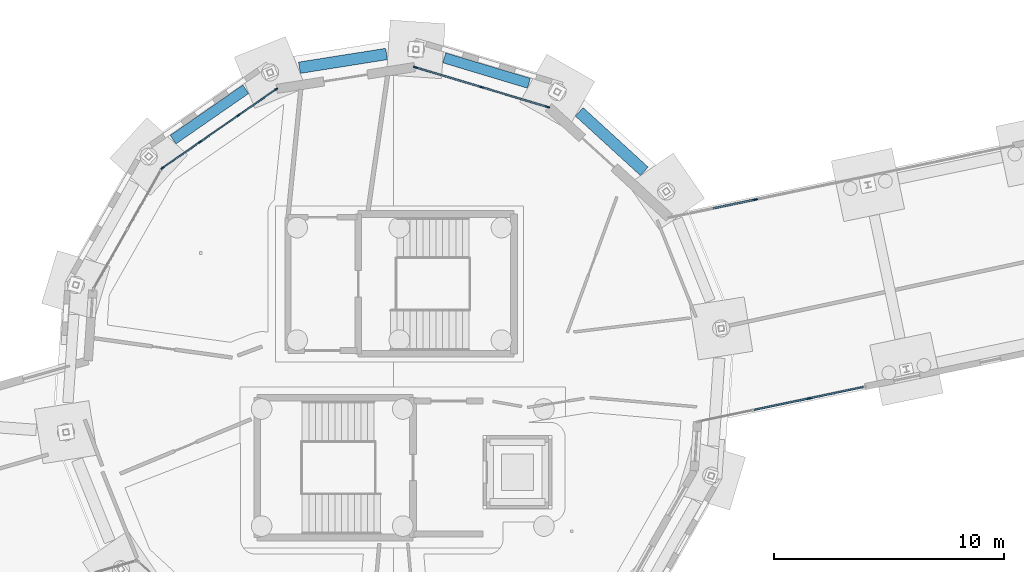
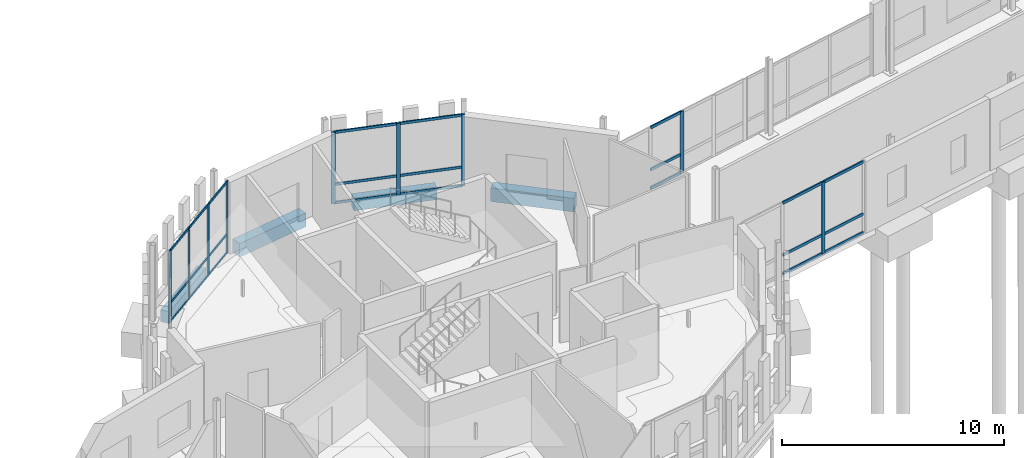
# One storey, part 48 of 113: 33 members, 4 beams, 4 elements without a shape of their own.
"""IFC4 building model written with IfcOpenShell, lengths in metres."""

from ifc_helpers import new_model, si_unit, direction, frame, origin, origin_2d, place, context, subcontext, project, spatial, rectangle, extrude, material, material_profile, profile_set, type_object, element, aggregate, save


model = new_model("IFC4")

# Units and contexts
model_context = context("Model", 3, precision=1e-05, world=origin(), true_north=direction((0.0, 1.0)))
body_context = subcontext(model_context, "Body", "Model", "MODEL_VIEW")
ifc_project = project(units=[si_unit("LENGTHUNIT", "METRE"), si_unit("AREAUNIT", "SQUARE_METRE"), si_unit("VOLUMEUNIT", "CUBIC_METRE"), si_unit("PLANEANGLEUNIT", "RADIAN"), si_unit("MASSUNIT", "GRAM", prefix="KILO")], contexts=[model_context])

# Site, building, storey
site_placement = place(None, origin())
site = spatial("IfcSite", under=ifc_project, at=site_placement, CompositionType="ELEMENT")
building_placement = place(site_placement, origin())
building = spatial("IfcBuilding", under=site, at=building_placement, Name="Wrenclough Park School", CompositionType="ELEMENT")
storey_placement = place(building_placement, origin())
storey = spatial("IfcBuildingStorey", under=building, at=storey_placement, Name="L00", CompositionType="ELEMENT", Elevation=0.0)

# Curtain wall, members
ifc_material_1 = material(Name="Thermally broken aluminium and low-e glass curtain wall", Category="aluminium")
curtain_wall_type_1 = type_object("IfcCurtainWallType", Name="ENV-CW-13", PredefinedType="USERDEFINED", material=ifc_material_1)
curtain_wall_1_placement = place(storey_placement, origin())
curtain_wall_1 = element("IfcCurtainWall", 1, at=curtain_wall_1_placement, inside=storey, type_object=curtain_wall_type_1, Name="L00 recessed curtain wall assembly 012", ObjectType="CURTAIN WALL", PredefinedType="USERDEFINED")
ifc_material_2 = material(Name="Thermally broken anodised aluminium", Category="aluminium")
ifc_material_profile_1 = material_profile(ifc_material_2, rectangle(XDim=0.06005859375, YDim=0.159912109375, at=origin_2d()), Name="AL MULLION 60x160")
ifc_profile_set_1 = profile_set([ifc_material_profile_1], Name="Thermally broken anodised aluminium")
member_type_1 = type_object("IfcMemberType", Name="ENV-CWM-1", PredefinedType="MULLION", material=ifc_profile_set_1)
member_1_placement = place(storey_placement, frame((72.932861328125, 117.7470703125, 0.0), z_axis=(0.0, 0.0, 1.0), x_axis=(-0.569486266638, 0.822000846783, 0.0)))
member_1 = element("IfcMember", 2, at=member_1_placement, type_object=member_type_1, Name="CW-13 mullion 1", PredefinedType="MULLION", context=body_context, shape_type="SweptSolid", body=[
    extrude(rectangle(XDim=0.06005859375, YDim=0.159912109375, at=origin_2d()), origin(), (0.0, 0.0, 1.0), 3.93994140625),
])
member_2_placement = place(storey_placement, frame((74.57373046875, 118.8837890625, 0.0), z_axis=(0.0, 0.0, 1.0), x_axis=(-0.569486266638, 0.822000846783, 0.0)))
member_2 = element("IfcMember", 3, at=member_2_placement, type_object=member_type_1, Name="CW-13 mullion 2", PredefinedType="MULLION", context=body_context, shape_type="SweptSolid", body=[
    extrude(rectangle(XDim=0.06005859375, YDim=0.159912109375, at=origin_2d()), origin(), (0.0, 0.0, 1.0), 3.93994140625),
])
member_3_placement = place(storey_placement, frame((76.2392578125, 120.03759765625, 0.0), z_axis=(0.0, 0.0, 1.0), x_axis=(-0.569486266638, 0.822000846783, 0.0)))
member_3 = element("IfcMember", 4, at=member_3_placement, type_object=member_type_1, Name="CW-13 mullion 3", PredefinedType="MULLION", context=body_context, shape_type="SweptSolid", body=[
    extrude(rectangle(XDim=0.06005859375, YDim=0.159912109375, at=origin_2d()), origin(), (0.0, 0.0, 1.0), 3.93994140625),
])
member_4_placement = place(storey_placement, frame((77.880126953125, 121.17431640625, 0.0), z_axis=(0.0, 0.0, 1.0), x_axis=(-0.569486266638, 0.822000846783, 0.0)))
member_4 = element("IfcMember", 5, at=member_4_placement, type_object=member_type_1, Name="CW-13 mullion 4", PredefinedType="MULLION", context=body_context, shape_type="SweptSolid", body=[
    extrude(rectangle(XDim=0.06005859375, YDim=0.159912109375, at=origin_2d()), origin(), (0.0, 0.0, 1.0), 3.93994140625),
])

curtain_wall_type_2 = type_object("IfcCurtainWallType", Name="ENV-CW-14", PredefinedType="USERDEFINED", material=ifc_material_1)
curtain_wall_2_placement = place(storey_placement, origin())
curtain_wall_2 = element("IfcCurtainWall", 6, at=curtain_wall_2_placement, inside=storey, type_object=curtain_wall_type_2, Name="L00 recessed curtain wall assembly 013", ObjectType="CURTAIN WALL", PredefinedType="USERDEFINED")
ifc_material_profile_2 = material_profile(ifc_material_2, rectangle(XDim=0.06494140625, YDim=0.179931640625, at=origin_2d()), Name="AL MULLION 65x180")
ifc_profile_set_2 = profile_set([ifc_material_profile_2], Name="Thermally broken anodised aluminium")
member_type_2 = type_object("IfcMemberType", Name="ENV-CWM-2", PredefinedType="MULLION", material=ifc_profile_set_2)
member_5_placement = place(storey_placement, frame((83.955078125, 122.13525390625, 0.0), z_axis=(0.0, 0.0, 1.0), x_axis=(0.287583325168, 0.957755621798, 0.0)))
member_5 = element("IfcMember", 7, at=member_5_placement, type_object=member_type_2, Name="CW-14 mullion 1", PredefinedType="MULLION", context=body_context, shape_type="SweptSolid", body=[
    extrude(rectangle(XDim=0.06494140625, YDim=0.179931640625, at=origin_2d()), origin(), (0.0, 0.0, 1.0), 3.93994140625),
])
member_6_placement = place(storey_placement, frame((86.834716796875, 121.270751953125, 0.0), z_axis=(0.0, 0.0, 1.0), x_axis=(0.287583325168, 0.957755621798, 0.0)))
member_6 = element("IfcMember", 8, at=member_6_placement, type_object=member_type_2, Name="CW-14 mullion 2", PredefinedType="MULLION", context=body_context, shape_type="SweptSolid", body=[
    extrude(rectangle(XDim=0.06494140625, YDim=0.179931640625, at=origin_2d()), origin(), (0.0, 0.0, 1.0), 3.93994140625),
])
member_7_placement = place(storey_placement, frame((89.714599609375, 120.406005859375, 0.0), z_axis=(0.0, 0.0, 1.0), x_axis=(0.287583325168, 0.957755621798, 0.0)))
member_7 = element("IfcMember", 9, at=member_7_placement, type_object=member_type_2, Name="CW-14 mullion 3", PredefinedType="MULLION", context=body_context, shape_type="SweptSolid", body=[
    extrude(rectangle(XDim=0.06494140625, YDim=0.179931640625, at=origin_2d()), origin(), (0.0, 0.0, 1.0), 3.93994140625),
])

# Curtain wall, member
curtain_wall_type_3 = type_object("IfcCurtainWallType", Name="ENV-CW-15", PredefinedType="USERDEFINED", material=ifc_material_1)
curtain_wall_3_placement = place(storey_placement, origin())
curtain_wall_3 = element("IfcCurtainWall", 10, at=curtain_wall_3_placement, inside=storey, type_object=curtain_wall_type_3, Name="L00 recessed curtain wall assembly 014", ObjectType="CURTAIN WALL", PredefinedType="USERDEFINED")
ifc_material_profile_3 = material_profile(ifc_material_2, rectangle(XDim=0.070068359375, YDim=0.199951171875, at=origin_2d()), Name="AL MULLION 70x200")
ifc_profile_set_3 = profile_set([ifc_material_profile_3], Name="Thermally broken anodised aluminium")
member_type_3 = type_object("IfcMemberType", Name="ENV-CWM-3", PredefinedType="MULLION", material=ifc_profile_set_3)
member_8_placement = place(storey_placement, frame((98.75146484375, 116.373779296875, 0.0), z_axis=(0.0, 0.0, 1.0), x_axis=(-0.204871023923, 0.978788978052, 0.0)))
member_8 = element("IfcMember", 11, at=member_8_placement, type_object=member_type_3, Name="CW-15 mullion 3", PredefinedType="MULLION", context=body_context, shape_type="SweptSolid", body=[
    extrude(rectangle(XDim=0.070068359375, YDim=0.199951171875, at=origin_2d()), origin(), (0.0, 0.0, 1.0), 3.39892578125),
])

curtain_wall_type_4 = type_object("IfcCurtainWallType", Name="ENV-CW-02", PredefinedType="USERDEFINED", material=ifc_material_1)
curtain_wall_4_placement = place(storey_placement, origin())
curtain_wall_4 = element("IfcCurtainWall", 12, at=curtain_wall_4_placement, inside=storey, type_object=curtain_wall_type_4, Name="L00 recessed curtain wall assembly 065", ObjectType="CURTAIN WALL", PredefinedType="USERDEFINED")
member_9_placement = place(storey_placement, frame((101.10107421875, 107.71142578125, 0.0), z_axis=(0.0, 0.0, 1.0), x_axis=(0.204873635602, -0.978788431396, 0.0)))
member_9 = element("IfcMember", 13, at=member_9_placement, type_object=member_type_3, Name="CW-02 mullion 2", PredefinedType="MULLION", context=body_context, shape_type="SweptSolid", body=[
    extrude(rectangle(XDim=0.070068359375, YDim=0.199951171875, at=origin_2d()), origin(), (0.0, 0.0, 1.0), 3.93994140625),
])

# Member
ifc_material_profile_4 = material_profile(ifc_material_2, rectangle(XDim=0.06005859375, YDim=0.1201171875, at=origin_2d()), Name="AL TRANSOM 60x120")
ifc_profile_set_4 = profile_set([ifc_material_profile_4], Name="Thermally broken anodised aluminium")
member_type_4 = type_object("IfcMemberType", Name="ENV-CWT-1", PredefinedType="USERDEFINED", material=ifc_profile_set_4)
member_10_placement = place(storey_placement, frame((72.95751953125, 117.76416015625, 0.030029296875), z_axis=(0.822024195084, 0.569452564044, 0.0), x_axis=(-0.569452564044, 0.822024195084, 0.0)))
member_10 = element("IfcMember", 14, at=member_10_placement, type_object=member_type_4, Name="CW-13 transom 1.1", ObjectType="TRANSOM", PredefinedType="USERDEFINED", context=body_context, shape_type="SweptSolid", body=[
    extrude(rectangle(XDim=0.06005859375, YDim=0.1201171875, at=origin_2d()), origin(), (0.0, 0.0, 1.0), 1.93603515625),
])

member_11_placement = place(storey_placement, frame((72.95751953125, 117.76416015625, 1.050048828125), z_axis=(0.822024195084, 0.569452564044, 0.0), x_axis=(-0.569452564044, 0.822024195084, 0.0)))
member_11 = element("IfcMember", 15, at=member_11_placement, type_object=member_type_4, Name="CW-13 transom 1.2", ObjectType="TRANSOM", PredefinedType="USERDEFINED", context=body_context, shape_type="SweptSolid", body=[
    extrude(rectangle(XDim=0.06005859375, YDim=0.1201171875, at=origin_2d()), origin(), (0.0, 0.0, 1.0), 1.93603515625),
])

member_12_placement = place(storey_placement, frame((72.95751953125, 117.76416015625, 3.909912109375), z_axis=(0.822024195084, 0.569452564044, 0.0), x_axis=(-0.569452564044, 0.822024195084, 0.0)))
member_12 = element("IfcMember", 16, at=member_12_placement, type_object=member_type_4, Name="CW-13 transom 1.3", ObjectType="TRANSOM", PredefinedType="USERDEFINED", context=body_context, shape_type="SweptSolid", body=[
    extrude(rectangle(XDim=0.06005859375, YDim=0.1201171875, at=origin_2d()), origin(), (0.0, 0.0, 1.0), 1.93603515625),
])

member_13_placement = place(storey_placement, frame((74.598388671875, 118.90087890625, 0.030029296875), z_axis=(0.822022286982, 0.569455318444, 0.0), x_axis=(-0.569455318444, 0.822022286982, 0.0)))
member_13 = element("IfcMember", 17, at=member_13_placement, type_object=member_type_4, Name="CW-13 transom 2.1", ObjectType="TRANSOM", PredefinedType="USERDEFINED", context=body_context, shape_type="SweptSolid", body=[
    extrude(rectangle(XDim=0.06005859375, YDim=0.1201171875, at=origin_2d()), origin(), (0.0, 0.0, 1.0), 1.966064453125),
])

member_14_placement = place(storey_placement, frame((74.598388671875, 118.90087890625, 1.050048828125), z_axis=(0.822022286982, 0.569455318444, 0.0), x_axis=(-0.569455318444, 0.822022286982, 0.0)))
member_14 = element("IfcMember", 18, at=member_14_placement, type_object=member_type_4, Name="CW-13 transom 2.2", ObjectType="TRANSOM", PredefinedType="USERDEFINED", context=body_context, shape_type="SweptSolid", body=[
    extrude(rectangle(XDim=0.06005859375, YDim=0.1201171875, at=origin_2d()), origin(), (0.0, 0.0, 1.0), 1.966064453125),
])

member_15_placement = place(storey_placement, frame((74.598388671875, 118.90087890625, 3.909912109375), z_axis=(0.822022286982, 0.569455318444, 0.0), x_axis=(-0.569455318444, 0.822022286982, 0.0)))
member_15 = element("IfcMember", 19, at=member_15_placement, type_object=member_type_4, Name="CW-13 transom 2.3", ObjectType="TRANSOM", PredefinedType="USERDEFINED", context=body_context, shape_type="SweptSolid", body=[
    extrude(rectangle(XDim=0.06005859375, YDim=0.1201171875, at=origin_2d()), origin(), (0.0, 0.0, 1.0), 1.966064453125),
])

member_16_placement = place(storey_placement, frame((76.263916015625, 120.0546875, 0.030029296875), z_axis=(0.822024195084, 0.569452564044, 0.0), x_axis=(-0.569452564044, 0.822024195084, 0.0)))
member_16 = element("IfcMember", 20, at=member_16_placement, type_object=member_type_4, Name="CW-13 transom 3.1", ObjectType="TRANSOM", PredefinedType="USERDEFINED", context=body_context, shape_type="SweptSolid", body=[
    extrude(rectangle(XDim=0.06005859375, YDim=0.1201171875, at=origin_2d()), origin(), (0.0, 0.0, 1.0), 1.93603515625),
])

member_17_placement = place(storey_placement, frame((76.263916015625, 120.0546875, 1.050048828125), z_axis=(0.822024195084, 0.569452564044, 0.0), x_axis=(-0.569452564044, 0.822024195084, 0.0)))
member_17 = element("IfcMember", 21, at=member_17_placement, type_object=member_type_4, Name="CW-13 transom 3.2", ObjectType="TRANSOM", PredefinedType="USERDEFINED", context=body_context, shape_type="SweptSolid", body=[
    extrude(rectangle(XDim=0.06005859375, YDim=0.1201171875, at=origin_2d()), origin(), (0.0, 0.0, 1.0), 1.93603515625),
])

member_18_placement = place(storey_placement, frame((76.263916015625, 120.0546875, 3.909912109375), z_axis=(0.822024195084, 0.569452564044, 0.0), x_axis=(-0.569452564044, 0.822024195084, 0.0)))
member_18 = element("IfcMember", 22, at=member_18_placement, type_object=member_type_4, Name="CW-13 transom 3.3", ObjectType="TRANSOM", PredefinedType="USERDEFINED", context=body_context, shape_type="SweptSolid", body=[
    extrude(rectangle(XDim=0.06005859375, YDim=0.1201171875, at=origin_2d()), origin(), (0.0, 0.0, 1.0), 1.93603515625),
])

aggregate(curtain_wall_1, [member_1, member_2, member_3, member_4, member_10, member_11, member_12, member_13, member_14, member_15, member_16, member_17, member_18])

ifc_material_profile_5 = material_profile(ifc_material_2, rectangle(XDim=0.06494140625, YDim=0.139892578125, at=origin_2d()), Name="AL TRANSOM 65x140")
ifc_profile_set_5 = profile_set([ifc_material_profile_5], Name="Thermally broken anodised aluminium")
member_type_5 = type_object("IfcMemberType", Name="ENV-CWT-2", PredefinedType="USERDEFINED", material=ifc_profile_set_5)
member_19_placement = place(storey_placement, frame((83.986083984375, 122.1259765625, 0.032470703125), z_axis=(0.957764593175, -0.287553445572, 0.0), x_axis=(0.287553445572, 0.957764593175, 0.0)))
member_19 = element("IfcMember", 23, at=member_19_placement, type_object=member_type_5, Name="CW-14 transom 1.1", ObjectType="TRANSOM", PredefinedType="USERDEFINED", context=body_context, shape_type="SweptSolid", body=[
    extrude(rectangle(XDim=0.06494140625, YDim=0.139892578125, at=origin_2d()), origin(), (0.0, 0.0, 1.0), 2.94189453125),
])

member_20_placement = place(storey_placement, frame((83.986083984375, 122.1259765625, 1.050048828125), z_axis=(0.957764593175, -0.287553445572, 0.0), x_axis=(0.287553445572, 0.957764593175, 0.0)))
member_20 = element("IfcMember", 24, at=member_20_placement, type_object=member_type_5, Name="CW-14 transom 1.2", ObjectType="TRANSOM", PredefinedType="USERDEFINED", context=body_context, shape_type="SweptSolid", body=[
    extrude(rectangle(XDim=0.06494140625, YDim=0.139892578125, at=origin_2d()), origin(), (0.0, 0.0, 1.0), 2.94189453125),
])

member_21_placement = place(storey_placement, frame((83.986083984375, 122.1259765625, 3.907470703125), z_axis=(0.957764593175, -0.287553445572, 0.0), x_axis=(0.287553445572, 0.957764593175, 0.0)))
member_21 = element("IfcMember", 25, at=member_21_placement, type_object=member_type_5, Name="CW-14 transom 1.3", ObjectType="TRANSOM", PredefinedType="USERDEFINED", context=body_context, shape_type="SweptSolid", body=[
    extrude(rectangle(XDim=0.06494140625, YDim=0.139892578125, at=origin_2d()), origin(), (0.0, 0.0, 1.0), 2.94189453125),
])

member_22_placement = place(storey_placement, frame((86.865966796875, 121.26123046875, 0.032470703125), z_axis=(0.957757730329, -0.287576302911, 0.0), x_axis=(0.287576302911, 0.957757730329, 0.0)))
member_22 = element("IfcMember", 26, at=member_22_placement, type_object=member_type_5, Name="CW-14 transom 2.1", ObjectType="TRANSOM", PredefinedType="USERDEFINED", context=body_context, shape_type="SweptSolid", body=[
    extrude(rectangle(XDim=0.06494140625, YDim=0.139892578125, at=origin_2d()), origin(), (0.0, 0.0, 1.0), 2.941650390625),
])

member_23_placement = place(storey_placement, frame((86.865966796875, 121.26123046875, 1.050048828125), z_axis=(0.957757730329, -0.287576302911, 0.0), x_axis=(0.287576302911, 0.957757730329, 0.0)))
member_23 = element("IfcMember", 27, at=member_23_placement, type_object=member_type_5, Name="CW-14 transom 2.2", ObjectType="TRANSOM", PredefinedType="USERDEFINED", context=body_context, shape_type="SweptSolid", body=[
    extrude(rectangle(XDim=0.06494140625, YDim=0.139892578125, at=origin_2d()), origin(), (0.0, 0.0, 1.0), 2.941650390625),
])

member_24_placement = place(storey_placement, frame((86.865966796875, 121.26123046875, 3.907470703125), z_axis=(0.957757730329, -0.287576302911, 0.0), x_axis=(0.287576302911, 0.957757730329, 0.0)))
member_24 = element("IfcMember", 28, at=member_24_placement, type_object=member_type_5, Name="CW-14 transom 2.3", ObjectType="TRANSOM", PredefinedType="USERDEFINED", context=body_context, shape_type="SweptSolid", body=[
    extrude(rectangle(XDim=0.06494140625, YDim=0.139892578125, at=origin_2d()), origin(), (0.0, 0.0, 1.0), 2.941650390625),
])

aggregate(curtain_wall_2, [member_5, member_6, member_7, member_19, member_20, member_21, member_22, member_23, member_24])

ifc_material_profile_6 = material_profile(ifc_material_2, rectangle(XDim=0.070068359375, YDim=0.14990234375, at=origin_2d()), Name="AL TRANSOM 70x150")
ifc_profile_set_6 = profile_set([ifc_material_profile_6], Name="Thermally broken anodised aluminium")
member_type_6 = type_object("IfcMemberType", Name="ENV-CWT-3", PredefinedType="USERDEFINED", material=ifc_profile_set_6)
member_25_placement = place(storey_placement, frame((96.915283203125, 115.989501953125, 0.034912109375), z_axis=(0.978786914789, 0.204880881093, 0.0), x_axis=(-0.204880881093, 0.978786914789, 0.0)))
member_25 = element("IfcMember", 29, at=member_25_placement, type_object=member_type_6, Name="CW-15 transom 2.1", ObjectType="TRANSOM", PredefinedType="USERDEFINED", context=body_context, shape_type="SweptSolid", body=[
    extrude(rectangle(XDim=0.070068359375, YDim=0.14990234375, at=origin_2d()), origin(), (0.0, 0.0, 1.0), 1.841064453125),
])

member_26_placement = place(storey_placement, frame((96.915283203125, 115.989501953125, 1.050048828125), z_axis=(0.978786914789, 0.204880881093, 0.0), x_axis=(-0.204880881093, 0.978786914789, 0.0)))
member_26 = element("IfcMember", 30, at=member_26_placement, type_object=member_type_6, Name="CW-15 transom 2.2", ObjectType="TRANSOM", PredefinedType="USERDEFINED", context=body_context, shape_type="SweptSolid", body=[
    extrude(rectangle(XDim=0.070068359375, YDim=0.14990234375, at=origin_2d()), origin(), (0.0, 0.0, 1.0), 1.841064453125),
])

member_27_placement = place(storey_placement, frame((96.915283203125, 115.989501953125, 3.364013671875), z_axis=(0.978786914789, 0.204880881093, 0.0), x_axis=(-0.204880881093, 0.978786914789, 0.0)))
member_27 = element("IfcMember", 31, at=member_27_placement, type_object=member_type_6, Name="CW-15 transom 2.3", ObjectType="TRANSOM", PredefinedType="USERDEFINED", context=body_context, shape_type="SweptSolid", body=[
    extrude(rectangle(XDim=0.070068359375, YDim=0.14990234375, at=origin_2d()), origin(), (0.0, 0.0, 1.0), 1.841064453125),
])

aggregate(curtain_wall_3, [member_8, member_25, member_26, member_27])

member_28_placement = place(storey_placement, frame((103.4599609375, 108.205322265625, 0.034912109375), z_axis=(-0.978790145907, -0.204865444318, 0.0), x_axis=(0.204865444318, -0.978790145907, 0.0)))
member_28 = element("IfcMember", 32, at=member_28_placement, type_object=member_type_6, Name="CW-02 transom 1.1", ObjectType="TRANSOM", PredefinedType="USERDEFINED", context=body_context, shape_type="SweptSolid", body=[
    extrude(rectangle(XDim=0.070068359375, YDim=0.14990234375, at=origin_2d()), origin(), (0.0, 0.0, 1.0), 2.375),
])

member_29_placement = place(storey_placement, frame((103.4599609375, 108.205322265625, 1.050048828125), z_axis=(-0.978790145907, -0.204865444318, 0.0), x_axis=(0.204865444318, -0.978790145907, 0.0)))
member_29 = element("IfcMember", 33, at=member_29_placement, type_object=member_type_6, Name="CW-02 transom 1.2", ObjectType="TRANSOM", PredefinedType="USERDEFINED", context=body_context, shape_type="SweptSolid", body=[
    extrude(rectangle(XDim=0.070068359375, YDim=0.14990234375, at=origin_2d()), origin(), (0.0, 0.0, 1.0), 2.375),
])

member_30_placement = place(storey_placement, frame((103.4599609375, 108.205322265625, 3.905029296875), z_axis=(-0.978790145907, -0.204865444318, 0.0), x_axis=(0.204865444318, -0.978790145907, 0.0)))
member_30 = element("IfcMember", 34, at=member_30_placement, type_object=member_type_6, Name="CW-02 transom 1.3", ObjectType="TRANSOM", PredefinedType="USERDEFINED", context=body_context, shape_type="SweptSolid", body=[
    extrude(rectangle(XDim=0.070068359375, YDim=0.14990234375, at=origin_2d()), origin(), (0.0, 0.0, 1.0), 2.375),
])

member_31_placement = place(storey_placement, frame((101.06689453125, 107.704345703125, 0.034912109375), z_axis=(-0.978796293686, -0.204836069741, 0.0), x_axis=(0.204836069741, -0.978796293686, 0.0)))
member_31 = element("IfcMember", 35, at=member_31_placement, type_object=member_type_6, Name="CW-02 transom 2.1", ObjectType="TRANSOM", PredefinedType="USERDEFINED", context=body_context, shape_type="SweptSolid", body=[
    extrude(rectangle(XDim=0.070068359375, YDim=0.14990234375, at=origin_2d()), origin(), (0.0, 0.0, 1.0), 2.409912109375),
])

member_32_placement = place(storey_placement, frame((101.06689453125, 107.704345703125, 1.050048828125), z_axis=(-0.978796293686, -0.204836069741, 0.0), x_axis=(0.204836069741, -0.978796293686, 0.0)))
member_32 = element("IfcMember", 36, at=member_32_placement, type_object=member_type_6, Name="CW-02 transom 2.2", ObjectType="TRANSOM", PredefinedType="USERDEFINED", context=body_context, shape_type="SweptSolid", body=[
    extrude(rectangle(XDim=0.070068359375, YDim=0.14990234375, at=origin_2d()), origin(), (0.0, 0.0, 1.0), 2.409912109375),
])

member_33_placement = place(storey_placement, frame((101.06689453125, 107.704345703125, 3.905029296875), z_axis=(-0.978796293686, -0.204836069741, 0.0), x_axis=(0.204836069741, -0.978796293686, 0.0)))
member_33 = element("IfcMember", 37, at=member_33_placement, type_object=member_type_6, Name="CW-02 transom 2.3", ObjectType="TRANSOM", PredefinedType="USERDEFINED", context=body_context, shape_type="SweptSolid", body=[
    extrude(rectangle(XDim=0.070068359375, YDim=0.14990234375, at=origin_2d()), origin(), (0.0, 0.0, 1.0), 2.409912109375),
])

aggregate(curtain_wall_4, [member_9, member_28, member_29, member_30, member_31, member_32, member_33])

# Beams
ifc_material_3 = material(Name="Concrete C35/45", Category="concrete")
ifc_material_profile_7 = material_profile(ifc_material_3, rectangle(XDim=0.449951171875, YDim=0.64990234375, at=origin_2d()), Name="RC GROUND 450x650")
ifc_profile_set_7 = profile_set([ifc_material_profile_7], Name="Concrete C35/45")
beam_type_1 = type_object("IfcBeamType", Name="STR-BM-GTB1", PredefinedType="USERDEFINED", material=ifc_profile_set_7)
beam_1_placement = place(storey_placement, frame((88.894775390625, 121.439208984375, -0.625), z_axis=(-0.957768652884, 0.287539923407, 0.0), x_axis=(-0.287539923407, -0.957768652884, 0.0)))
element("IfcBeam", 38, at=beam_1_placement, inside=storey, type_object=beam_type_1, Name="Reinforced concrete ground tie beam 077", ObjectType="GROUND TIE BEAM", PredefinedType="USERDEFINED", context=body_context, shape_type="SweptSolid", body=[
    extrude(rectangle(XDim=0.449951171875, YDim=0.64990234375, at=origin_2d()), origin(), (0.0, 0.0, 1.0), 3.848876953125),
])
beam_2_placement = place(storey_placement, frame((76.55908203125, 121.176025390625, -0.625), z_axis=(-0.821982041139, -0.56951340989, 0.0), x_axis=(0.56951340989, -0.821982041139, 0.0)))
element("IfcBeam", 39, at=beam_2_placement, inside=storey, type_object=beam_type_1, Name="Reinforced concrete ground tie beam 079", ObjectType="GROUND TIE BEAM", PredefinedType="USERDEFINED", context=body_context, shape_type="SweptSolid", body=[
    extrude(rectangle(XDim=0.449951171875, YDim=0.64990234375, at=origin_2d()), origin(), (0.0, 0.0, 1.0), 3.8486328125),
])
ifc_material_profile_8 = material_profile(ifc_material_3, rectangle(XDim=0.5, YDim=0.75, at=origin_2d()), Name="RC GROUND 500x750")
ifc_profile_set_8 = profile_set([ifc_material_profile_8], Name="Concrete C35/45")
beam_type_2 = type_object("IfcBeamType", Name="STR-BM-GTB2", PredefinedType="USERDEFINED", material=ifc_profile_set_8)
for number, where, z_axis, x_axis, name in (
    (40, (93.922119140625, 117.602783203125, -0.675048828125), (-0.738113822931, 0.674676207078, 0.0), (-0.674676207078, -0.738113822931, 0.0), "Reinforced concrete ground tie beam 076"),
    (41, (82.69287109375, 122.714599609375, -0.675048828125), (-0.98769793868, -0.15637385308, 0.0), (0.15637385308, -0.98769793868, 0.0), "Reinforced concrete ground tie beam 078"),
):
    element("IfcBeam", number, at=place(storey_placement, frame(where, z_axis=z_axis, x_axis=x_axis)), inside=storey, type_object=beam_type_2, Name=name, ObjectType="GROUND TIE BEAM", PredefinedType="USERDEFINED", context=body_context, shape_type="SweptSolid", body=[
        extrude(rectangle(XDim=0.5, YDim=0.75, at=origin_2d()), origin(), (0.0, 0.0, 1.0), 3.8408203125),
    ])

save(model, "model.ifc")
